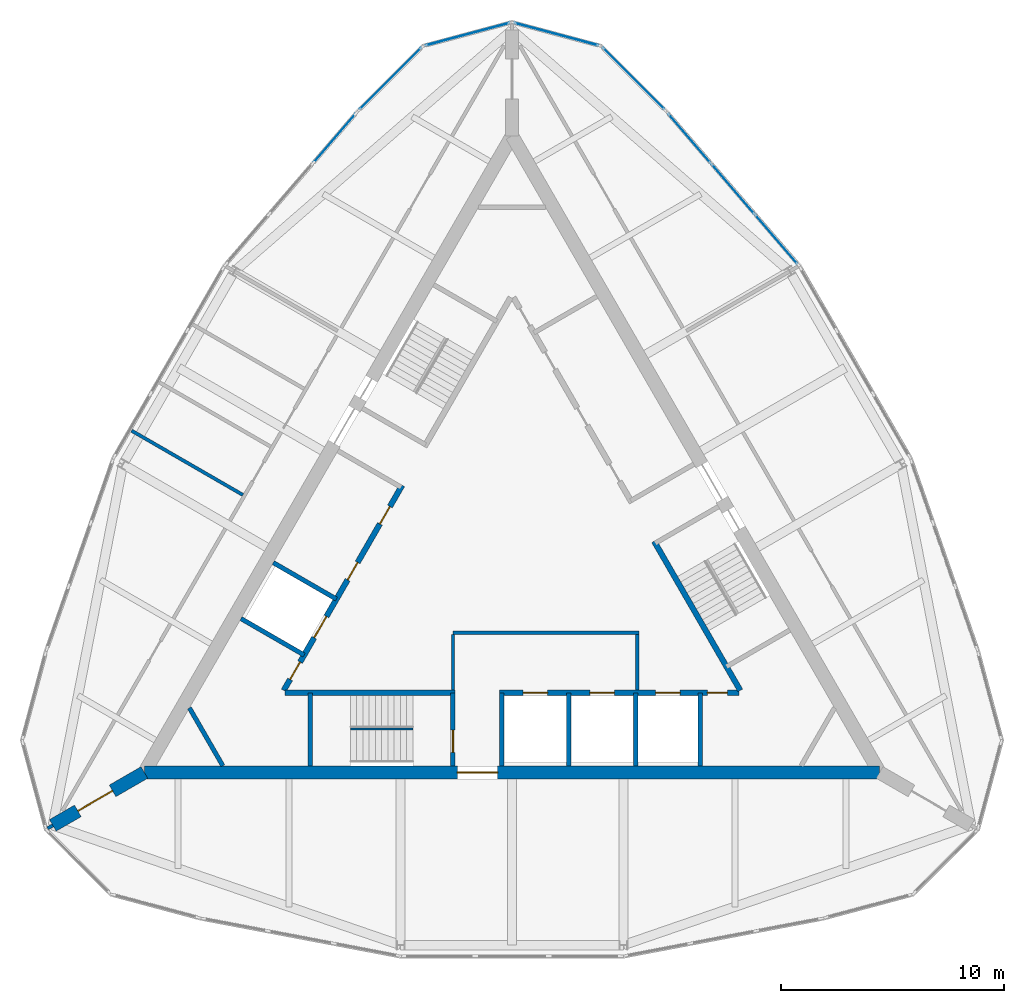
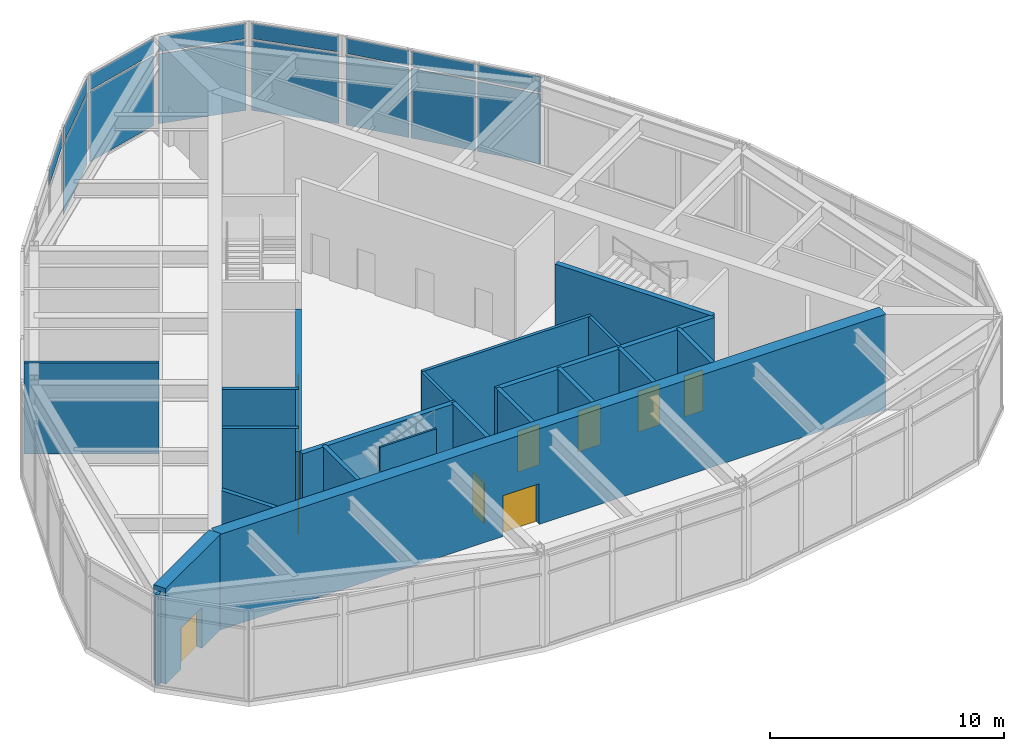
# One storey, part 6 of 9: 21 walls, 15 plates, 11 doors, 11 openings, 6 elements without a shape of their own.
"""IFC4 building model written with IfcOpenShell, lengths in metres."""

from ifc_helpers import new_model, si_unit, direction, frame, frame_2d, origin, origin_2d, place, context, subcontext, project, spatial, rectangle, extrude, material, layer, layer_set, type_object, element, fill, aggregate, save


model = new_model("IFC4")

# Units and contexts
model_context = context("Model", 3, precision=1e-05, world=origin(), true_north=direction((0.0, 1.0)))
body_context = subcontext(model_context, "Body", "Model", "MODEL_VIEW")
ifc_project = project(units=[si_unit("LENGTHUNIT", "METRE"), si_unit("AREAUNIT", "SQUARE_METRE"), si_unit("VOLUMEUNIT", "CUBIC_METRE"), si_unit("PLANEANGLEUNIT", "RADIAN"), si_unit("MASSUNIT", "GRAM", prefix="KILO")], contexts=[model_context])

# Site, building, storey
site_placement = place(None, origin())
site = spatial("IfcSite", under=ifc_project, at=site_placement, CompositionType="ELEMENT")
building_placement = place(site_placement, origin())
building = spatial("IfcBuilding", under=site, at=building_placement, Name="Trikona Tower", CompositionType="ELEMENT")
storey_placement = place(building_placement, frame((0.0, 0.0, 292.800048828125)))
storey = spatial("IfcBuildingStorey", under=building, at=storey_placement, Name="L76", CompositionType="ELEMENT", Elevation=292.800048828125)

# Curtain wall, plates
ifc_material_1 = material(Name="Aluminium curtain wall system", Category="aluminium")
curtain_wall_type = type_object("IfcCurtainWallType", Name="Curtain wall OB", PredefinedType="NOTDEFINED", material=ifc_material_1)
curtain_wall_1_placement = place(storey_placement, origin())
curtain_wall_1 = element("IfcCurtainWall", 1, at=curtain_wall_1_placement, inside=storey, type_object=curtain_wall_type, Name="Curtain wall OB L76", PredefinedType="NOTDEFINED")
ifc_material_2 = material(Name="Clear insulating glass unit", Category="glass")
ifc_layer_1 = layer(ifc_material_2, 0.028076171875)
ifc_layer_set_1 = layer_set([ifc_layer_1], Name="Glass panel OB")
plate_type = type_object("IfcPlateType", Name="Glass panel OB", PredefinedType="CURTAIN_PANEL", material=ifc_layer_set_1)
plate_1_placement = place(storey_placement, frame((11.865966796875, 14.408447265625, 0.10009765625), z_axis=(0.0, 0.0, 1.0), x_axis=(-0.652863914707, 0.757475219973, 0.0)))
plate_1 = element("IfcPlate", 2, at=plate_1_placement, type_object=plate_type, Name="CW-OB panel 1.1", PredefinedType="CURTAIN_PANEL", context=body_context, shape_type="SweptSolid", body=[
    extrude(rectangle(XDim=2.86376953125, YDim=0.028076171875, at=origin_2d()), origin(), (0.0, 0.0, 1.0), 3.64990234375),
])
plate_2_placement = place(storey_placement, frame((11.865966796875, 14.408447265625, 3.85009765625), z_axis=(0.0, 0.0, 1.0), x_axis=(-0.652863914707, 0.757475219973, 0.0)))
plate_2 = element("IfcPlate", 3, at=plate_2_placement, type_object=plate_type, Name="CW-OB panel 1.2", PredefinedType="CURTAIN_PANEL", context=body_context, shape_type="SweptSolid", body=[
    extrude(rectangle(XDim=2.86376953125, YDim=0.028076171875, at=origin_2d()), origin(), (0.0, 0.0, 1.0), 0.800048828125),
])
plate_3_placement = place(storey_placement, frame((9.914794921875, 16.67236328125, 0.10009765625), z_axis=(0.0, 0.0, 1.0), x_axis=(-0.652863914707, 0.757475219973, 0.0)))
plate_3 = element("IfcPlate", 4, at=plate_3_placement, type_object=plate_type, Name="CW-OB panel 2.1", PredefinedType="CURTAIN_PANEL", context=body_context, shape_type="SweptSolid", body=[
    extrude(rectangle(XDim=2.91357421875, YDim=0.028076171875, at=origin_2d()), origin(), (0.0, 0.0, 1.0), 3.64990234375),
])
plate_4_placement = place(storey_placement, frame((9.914794921875, 16.67236328125, 3.85009765625), z_axis=(0.0, 0.0, 1.0), x_axis=(-0.652863914707, 0.757475219973, 0.0)))
plate_4 = element("IfcPlate", 5, at=plate_4_placement, type_object=plate_type, Name="CW-OB panel 2.2", PredefinedType="CURTAIN_PANEL", context=body_context, shape_type="SweptSolid", body=[
    extrude(rectangle(XDim=2.91357421875, YDim=0.028076171875, at=origin_2d()), origin(), (0.0, 0.0, 1.0), 0.800048828125),
])
plate_5_placement = place(storey_placement, frame((7.96337890625, 18.936279296875, 0.10009765625), z_axis=(0.0, 0.0, 1.0), x_axis=(-0.652863914707, 0.757475219973, 0.0)))
plate_5 = element("IfcPlate", 6, at=plate_5_placement, type_object=plate_type, Name="CW-OB panel 3.1", PredefinedType="CURTAIN_PANEL", context=body_context, shape_type="SweptSolid", body=[
    extrude(rectangle(XDim=2.86376953125, YDim=0.028076171875, at=origin_2d()), origin(), (0.0, 0.0, 1.0), 3.64990234375),
])
plate_6_placement = place(storey_placement, frame((7.96337890625, 18.936279296875, 3.85009765625), z_axis=(0.0, 0.0, 1.0), x_axis=(-0.652863914707, 0.757475219973, 0.0)))
plate_6 = element("IfcPlate", 7, at=plate_6_placement, type_object=plate_type, Name="CW-OB panel 3.2", PredefinedType="CURTAIN_PANEL", context=body_context, shape_type="SweptSolid", body=[
    extrude(rectangle(XDim=2.86376953125, YDim=0.028076171875, at=origin_2d()), origin(), (0.0, 0.0, 1.0), 0.800048828125),
])
aggregate(curtain_wall_1, [plate_1, plate_2, plate_3, plate_4, plate_5, plate_6])

curtain_wall_2_placement = place(storey_placement, origin())
curtain_wall_2 = element("IfcCurtainWall", 8, at=curtain_wall_2_placement, inside=storey, type_object=curtain_wall_type, Name="Curtain wall OB L76", PredefinedType="NOTDEFINED")
plate_7_placement = place(storey_placement, frame((5.449951171875, 21.615966796875, 0.10009765625), z_axis=(0.0, 0.0, 1.0), x_axis=(-0.707106781187, 0.707106781187, 0.0)))
plate_7 = element("IfcPlate", 9, at=plate_7_placement, type_object=plate_type, Name="CW-OB panel 1.1", PredefinedType="CURTAIN_PANEL", context=body_context, shape_type="SweptSolid", body=[
    extrude(rectangle(XDim=3.864013671875, YDim=0.028076171875, at=origin_2d()), origin(), (0.0, 0.0, 1.0), 3.64990234375),
])
plate_8_placement = place(storey_placement, frame((5.449951171875, 21.615966796875, 3.85009765625), z_axis=(0.0, 0.0, 1.0), x_axis=(-0.707106781187, 0.707106781187, 0.0)))
plate_8 = element("IfcPlate", 10, at=plate_8_placement, type_object=plate_type, Name="CW-OB panel 1.2", PredefinedType="CURTAIN_PANEL", context=body_context, shape_type="SweptSolid", body=[
    extrude(rectangle(XDim=3.864013671875, YDim=0.028076171875, at=origin_2d()), origin(), (0.0, 0.0, 1.0), 0.800048828125),
])
aggregate(curtain_wall_2, [plate_7, plate_8])

curtain_wall_3_placement = place(storey_placement, origin())
curtain_wall_3 = element("IfcCurtainWall", 11, at=curtain_wall_3_placement, inside=storey, type_object=curtain_wall_type, Name="Curtain wall OB L76", PredefinedType="NOTDEFINED")
plate_9_placement = place(storey_placement, frame((1.994873046875, 23.610595703125, 0.10009765625), z_axis=(0.0, 0.0, 1.0), x_axis=(-0.965923448705, 0.258827918204, 0.0)))
plate_9 = element("IfcPlate", 12, at=plate_9_placement, type_object=plate_type, Name="CW-OB panel 1.1", PredefinedType="CURTAIN_PANEL", context=body_context, shape_type="SweptSolid", body=[
    extrude(rectangle(XDim=3.864013671875, YDim=0.028076171875, at=origin_2d()), origin(), (0.0, 0.0, 1.0), 3.64990234375),
])
plate_10_placement = place(storey_placement, frame((1.994873046875, 23.610595703125, 3.85009765625), z_axis=(0.0, 0.0, 1.0), x_axis=(-0.965923448705, 0.258827918204, 0.0)))
plate_10 = element("IfcPlate", 13, at=plate_10_placement, type_object=plate_type, Name="CW-OB panel 1.2", PredefinedType="CURTAIN_PANEL", context=body_context, shape_type="SweptSolid", body=[
    extrude(rectangle(XDim=3.864013671875, YDim=0.028076171875, at=origin_2d()), origin(), (0.0, 0.0, 1.0), 0.800048828125),
])
aggregate(curtain_wall_3, [plate_9, plate_10])

curtain_wall_4_placement = place(storey_placement, origin())
curtain_wall_4 = element("IfcCurtainWall", 14, at=curtain_wall_4_placement, inside=storey, type_object=curtain_wall_type, Name="Curtain wall OB L76", PredefinedType="NOTDEFINED")
plate_11_placement = place(storey_placement, frame((-1.994873046875, 23.610595703125, 0.10009765625), z_axis=(0.0, 0.0, 1.0), x_axis=(-0.965923448705, -0.258827918204, 0.0)))
plate_11 = element("IfcPlate", 15, at=plate_11_placement, type_object=plate_type, Name="CW-OB panel 1.1", PredefinedType="CURTAIN_PANEL", context=body_context, shape_type="SweptSolid", body=[
    extrude(rectangle(XDim=3.864013671875, YDim=0.028076171875, at=origin_2d()), origin(), (0.0, 0.0, 1.0), 3.64990234375),
])
plate_12_placement = place(storey_placement, frame((-1.994873046875, 23.610595703125, 3.85009765625), z_axis=(0.0, 0.0, 1.0), x_axis=(-0.965923448705, -0.258827918204, 0.0)))
plate_12 = element("IfcPlate", 16, at=plate_12_placement, type_object=plate_type, Name="CW-OB panel 1.2", PredefinedType="CURTAIN_PANEL", context=body_context, shape_type="SweptSolid", body=[
    extrude(rectangle(XDim=3.864013671875, YDim=0.028076171875, at=origin_2d()), origin(), (0.0, 0.0, 1.0), 0.800048828125),
])
aggregate(curtain_wall_4, [plate_11, plate_12])

curtain_wall_5_placement = place(storey_placement, origin())
curtain_wall_5 = element("IfcCurtainWall", 17, at=curtain_wall_5_placement, inside=storey, type_object=curtain_wall_type, Name="Curtain wall OB L76", PredefinedType="NOTDEFINED")
plate_13_placement = place(storey_placement, frame((-5.449951171875, 21.615966796875, 0.10009765625), z_axis=(0.0, 0.0, 1.0), x_axis=(-0.707106781187, -0.707106781187, 0.0)))
plate_13 = element("IfcPlate", 18, at=plate_13_placement, type_object=plate_type, Name="CW-OB panel 1.1", PredefinedType="CURTAIN_PANEL", context=body_context, shape_type="SweptSolid", body=[
    extrude(rectangle(XDim=3.864013671875, YDim=0.028076171875, at=origin_2d()), origin(), (0.0, 0.0, 1.0), 3.64990234375),
])
plate_14_placement = place(storey_placement, frame((-5.449951171875, 21.615966796875, 3.85009765625), z_axis=(0.0, 0.0, 1.0), x_axis=(-0.707106781187, -0.707106781187, 0.0)))
plate_14 = element("IfcPlate", 19, at=plate_14_placement, type_object=plate_type, Name="CW-OB panel 1.2", PredefinedType="CURTAIN_PANEL", context=body_context, shape_type="SweptSolid", body=[
    extrude(rectangle(XDim=3.864013671875, YDim=0.028076171875, at=origin_2d()), origin(), (0.0, 0.0, 1.0), 0.800048828125),
])
aggregate(curtain_wall_5, [plate_13, plate_14])

# Curtain wall, plate
curtain_wall_6_placement = place(storey_placement, origin())
curtain_wall_6 = element("IfcCurtainWall", 20, at=curtain_wall_6_placement, inside=storey, type_object=curtain_wall_type, Name="Curtain wall OB L76", PredefinedType="NOTDEFINED")
plate_15_placement = place(storey_placement, frame((-7.96337890625, 18.936279296875, 3.85009765625), z_axis=(0.0, 0.0, 1.0), x_axis=(-0.652863914707, -0.757475219973, 0.0)))
plate_15 = element("IfcPlate", 21, at=plate_15_placement, type_object=plate_type, Name="CW-OB panel 1.2", PredefinedType="CURTAIN_PANEL", context=body_context, shape_type="SweptSolid", body=[
    extrude(rectangle(XDim=2.86376953125, YDim=0.028076171875, at=origin_2d()), origin(), (0.0, 0.0, 1.0), 0.800048828125),
])
aggregate(curtain_wall_6, [plate_15])

# Wall, opening, door
ifc_material_3 = material(Name="Concrete f'c 10000 psi", Category="concrete")
ifc_layer_2 = layer(ifc_material_3, 0.60009765625)
ifc_layer_set_2 = layer_set([ifc_layer_2], Name="Buttress wall 600")
wall_type_1 = type_object("IfcWallType", Name="Buttress wall 600", PredefinedType="SHEAR", material=ifc_layer_set_2)
wall_1_placement = place(storey_placement, frame((-16.5, -9.5263671875, 0.0), z_axis=(0.0, 0.0, 1.0), x_axis=(-0.866031398331, -0.499989616998, 0.0)))
wall_1 = element("IfcWall", 22, at=wall_1_placement, inside=storey, type_object=wall_type_1, Name="Buttress wall 3", PredefinedType="SHEAR", context=body_context, shape_type="SweptSolid", body=[
    extrude(rectangle(XDim=4.74609375, YDim=0.60009765625, at=frame_2d((2.373046875, 0.0))), origin(), (0.0, 0.0, 1.0), 5.0),
])
opening_1_placement = place(wall_1_placement, frame((1.64990234375, 0.0, 0.0)))
opening_1 = element("IfcOpeningElement", 23, at=opening_1_placement, cuts=wall_1, Name="Opening D10", PredefinedType="OPENING", context=body_context, shape_type="SweptSolid", body=[
    extrude(rectangle(XDim=1.800048828125, YDim=2.1298828125, at=frame_2d((0.89990234375, 1.06494140625))), frame((0.0, 0.31005859375, 0.0), z_axis=(0.0, -1.0, 0.0), x_axis=(1.0, 0.0, 0.0)), (0.0, 0.0, 1.0), 0.6201171875),
])
ifc_material_4 = material(Name="Hollow metal door and frame", Category="steel")
door_type_1 = type_object("IfcDoorType", Name="Cross-corridor door pair 1800x2130", OperationType="DOUBLE_DOOR_DOUBLE_SWING", PredefinedType="DOOR", material=ifc_material_4)
door_1_placement = place(opening_1_placement, origin())
door_1 = element("IfcDoor", 24, at=door_1_placement, inside=storey, type_object=door_type_1, Name="Cross-corridor door 3", OperationType="DOUBLE_DOOR_DOUBLE_SWING", OverallHeight=2.1298828125, OverallWidth=1.800048828125, PredefinedType="DOOR", context=body_context, shape_type="SweptSolid", body=[
    extrude(rectangle(XDim=1.800048828125, YDim=2.1298828125, at=frame_2d((0.89990234375, 1.06494140625))), frame((0.0, 0.02490234375, 0.0), z_axis=(0.0, -1.0, 0.0), x_axis=(1.0, 0.0, 0.0)), (0.0, 0.0, 1.0), 0.050048828125),
])
fill(opening_1, door_1)

ifc_material_5 = material(Name="Concrete f'c 10000 psi", Category="concrete")
ifc_layer_3 = layer(ifc_material_5, 0.60009765625)
ifc_layer_set_3 = layer_set([ifc_layer_3], Name="Core wall 600")
wall_type_2 = type_object("IfcWallType", Name="Core wall 600", PredefinedType="SHEAR", material=ifc_layer_set_3)
wall_2_placement = place(storey_placement, frame((-16.5, -9.5263671875, 0.0), z_axis=(0.0, 0.0, 1.0), x_axis=(1.0, 0.0, 0.0)))
wall_2 = element("IfcWall", 25, at=wall_2_placement, inside=storey, type_object=wall_type_2, Name="Core wall A", PredefinedType="SHEAR", context=body_context, shape_type="SweptSolid", body=[
    extrude(rectangle(XDim=33.0, YDim=0.60009765625, at=frame_2d((16.5, 0.0))), origin(), (0.0, 0.0, 1.0), 5.0),
])
opening_2_placement = place(wall_2_placement, frame((14.050048828125, 0.0, 0.0)))
opening_2 = element("IfcOpeningElement", 26, at=opening_2_placement, cuts=wall_2, Name="Opening D6", PredefinedType="OPENING", context=body_context, shape_type="SweptSolid", body=[
    extrude(rectangle(XDim=1.800048828125, YDim=2.1298828125, at=frame_2d((0.89990234375, 1.06494140625))), frame((0.0, 0.31005859375, 0.0), z_axis=(0.0, -1.0, 0.0), x_axis=(1.0, 0.0, 0.0)), (0.0, 0.0, 1.0), 0.6201171875),
])
ifc_material_6 = material(Name="Hollow metal door and frame", Category="steel")
door_type_2 = type_object("IfcDoorType", Name="Lobby door pair 1800x2130", OperationType="DOUBLE_DOOR_SINGLE_SWING", PredefinedType="DOOR", material=ifc_material_6)
door_2_placement = place(opening_2_placement, origin())
door_2 = element("IfcDoor", 27, at=door_2_placement, inside=storey, type_object=door_type_2, Name="Fire service lift lobby door", OperationType="DOUBLE_DOOR_SINGLE_SWING", OverallHeight=2.1298828125, OverallWidth=1.800048828125, PredefinedType="DOOR", context=body_context, shape_type="SweptSolid", body=[
    extrude(rectangle(XDim=1.800048828125, YDim=2.1298828125, at=frame_2d((0.89990234375, 1.06494140625))), frame((0.0, 0.02490234375, 0.0), z_axis=(0.0, -1.0, 0.0), x_axis=(1.0, 0.0, 0.0)), (0.0, 0.0, 1.0), 0.050048828125),
])
fill(opening_2, door_2)

# Wall
ifc_material_7 = material(Name="Concrete f'c 8000 psi", Category="concrete")
ifc_layer_4 = layer(ifc_material_7, 0.25)
ifc_layer_set_4 = layer_set([ifc_layer_4], Name="Hub wall 250")
wall_type_3 = type_object("IfcWallType", Name="Hub wall 250", PredefinedType="SOLIDWALL", material=ifc_layer_set_4)
wall_3_placement = place(storey_placement, frame((-10.182861328125, -5.951416015625, 0.0), z_axis=(0.0, 0.0, 1.0), x_axis=(1.0, 0.0, 0.0)))
element("IfcWall", 28, at=wall_3_placement, inside=storey, type_object=wall_type_3, Name="Lift lobby wall A1", PredefinedType="SOLIDWALL", context=body_context, shape_type="SweptSolid", body=[
    extrude(rectangle(XDim=7.6328125, YDim=0.25, at=frame_2d((3.81640625, 0.0))), origin(), (0.0, 0.0, 1.0), 4.75),
])

# Wall, openings, doors
wall_4_placement = place(storey_placement, frame((-0.550048828125, -5.951416015625, 0.0), z_axis=(0.0, 0.0, 1.0), x_axis=(1.0, 0.0, 0.0)))
wall_4 = element("IfcWall", 29, at=wall_4_placement, inside=storey, type_object=wall_type_3, Name="Lift lobby wall A2", PredefinedType="SOLIDWALL", context=body_context, shape_type="SweptSolid", body=[
    extrude(rectangle(XDim=10.73291015625, YDim=0.25, at=frame_2d((5.366455078125, 0.0))), origin(), (0.0, 0.0, 1.0), 4.75),
])
opening_3_placement = place(wall_4_placement, frame((9.31396484375, 0.0, 0.0)))
opening_3 = element("IfcOpeningElement", 30, at=opening_3_placement, cuts=wall_4, Name="Opening D14", PredefinedType="OPENING", context=body_context, shape_type="SweptSolid", body=[
    extrude(rectangle(XDim=0.89990234375, YDim=2.1298828125, at=frame_2d((0.449951171875, 1.06494140625))), frame((0.0, 0.135009765625, 0.0), z_axis=(0.0, -1.0, 0.0), x_axis=(1.0, 0.0, 0.0)), (0.0, 0.0, 1.0), 0.27001953125),
])
opening_4_placement = place(wall_4_placement, frame((1.050048828125, 0.0, 0.0)))
opening_4 = element("IfcOpeningElement", 31, at=opening_4_placement, cuts=wall_4, Name="Opening LD", PredefinedType="OPENING", context=body_context, shape_type="SweptSolid", body=[
    extrude(rectangle(XDim=1.10009765625, YDim=2.1298828125, at=frame_2d((0.550048828125, 1.06494140625))), frame((0.0, 0.135009765625, 0.0), z_axis=(0.0, -1.0, 0.0), x_axis=(1.0, 0.0, 0.0)), (0.0, 0.0, 1.0), 0.27001953125),
])
opening_5_placement = place(wall_4_placement, frame((4.050048828125, 0.0, 0.0)))
opening_5 = element("IfcOpeningElement", 32, at=opening_5_placement, cuts=wall_4, Name="Opening LD", PredefinedType="OPENING", context=body_context, shape_type="SweptSolid", body=[
    extrude(rectangle(XDim=1.10009765625, YDim=2.1298828125, at=frame_2d((0.550048828125, 1.06494140625))), frame((0.0, 0.135009765625, 0.0), z_axis=(0.0, -1.0, 0.0), x_axis=(1.0, 0.0, 0.0)), (0.0, 0.0, 1.0), 0.27001953125),
])
opening_6_placement = place(wall_4_placement, frame((7.0, 0.0, 0.0)))
opening_6 = element("IfcOpeningElement", 33, at=opening_6_placement, cuts=wall_4, Name="Opening LD", PredefinedType="OPENING", context=body_context, shape_type="SweptSolid", body=[
    extrude(rectangle(XDim=1.10009765625, YDim=2.1298828125, at=frame_2d((0.550048828125, 1.06494140625))), frame((0.0, 0.135009765625, 0.0), z_axis=(0.0, -1.0, 0.0), x_axis=(1.0, 0.0, 0.0)), (0.0, 0.0, 1.0), 0.27001953125),
])
ifc_material_8 = material(Name="Stainless steel lift landing door", Category="steel")
door_type_3 = type_object("IfcDoorType", Name="Lift landing door 1100x2130", OperationType="DOUBLE_DOOR_SLIDING", PredefinedType="USERDEFINED", material=ifc_material_8)
door_3_placement = place(opening_4_placement, origin())
door_3 = element("IfcDoor", 34, at=door_3_placement, inside=storey, type_object=door_type_3, Name="Lift landing door FF1", ObjectType="LIFT LANDING DOOR", OperationType="DOUBLE_DOOR_SLIDING", OverallHeight=2.1298828125, OverallWidth=1.10009765625, PredefinedType="USERDEFINED", context=body_context, shape_type="SweptSolid", body=[
    extrude(rectangle(XDim=1.10009765625, YDim=2.1298828125, at=frame_2d((0.550048828125, 1.06494140625))), frame((0.0, 0.02490234375, 0.0), z_axis=(0.0, -1.0, 0.0), x_axis=(1.0, 0.0, 0.0)), (0.0, 0.0, 1.0), 0.050048828125),
])
fill(opening_4, door_3)
door_4_placement = place(opening_5_placement, origin())
door_4 = element("IfcDoor", 35, at=door_4_placement, inside=storey, type_object=door_type_3, Name="Lift landing door FF2", ObjectType="LIFT LANDING DOOR", OperationType="DOUBLE_DOOR_SLIDING", OverallHeight=2.1298828125, OverallWidth=1.10009765625, PredefinedType="USERDEFINED", context=body_context, shape_type="SweptSolid", body=[
    extrude(rectangle(XDim=1.10009765625, YDim=2.1298828125, at=frame_2d((0.550048828125, 1.06494140625))), frame((0.0, 0.02490234375, 0.0), z_axis=(0.0, -1.0, 0.0), x_axis=(1.0, 0.0, 0.0)), (0.0, 0.0, 1.0), 0.050048828125),
])
fill(opening_5, door_4)
door_5_placement = place(opening_6_placement, origin())
door_5 = element("IfcDoor", 36, at=door_5_placement, inside=storey, type_object=door_type_3, Name="Lift landing door OB1", ObjectType="LIFT LANDING DOOR", OperationType="DOUBLE_DOOR_SLIDING", OverallHeight=2.1298828125, OverallWidth=1.10009765625, PredefinedType="USERDEFINED", context=body_context, shape_type="SweptSolid", body=[
    extrude(rectangle(XDim=1.10009765625, YDim=2.1298828125, at=frame_2d((0.550048828125, 1.06494140625))), frame((0.0, 0.02490234375, 0.0), z_axis=(0.0, -1.0, 0.0), x_axis=(1.0, 0.0, 0.0)), (0.0, 0.0, 1.0), 0.050048828125),
])
fill(opening_6, door_5)
ifc_material_9 = material(Name="Hollow metal door and frame", Category="steel")
door_type_4 = type_object("IfcDoorType", Name="Service room door 900x2130", OperationType="SINGLE_SWING_LEFT", PredefinedType="DOOR", material=ifc_material_9)
door_6_placement = place(opening_3_placement, origin())
door_6 = element("IfcDoor", 37, at=door_6_placement, inside=storey, type_object=door_type_4, Name="Door Electrical room ELR", OperationType="SINGLE_SWING_RIGHT", OverallHeight=2.1298828125, OverallWidth=0.89990234375, PredefinedType="DOOR", context=body_context, shape_type="SweptSolid", body=[
    extrude(rectangle(XDim=0.89990234375, YDim=2.1298828125, at=frame_2d((0.449951171875, 1.06494140625))), frame((0.0, 0.02490234375, 0.0), z_axis=(0.0, -1.0, 0.0), x_axis=(1.0, 0.0, 0.0)), (0.0, 0.0, 1.0), 0.050048828125),
])
fill(opening_3, door_6)

# Wall
wall_5_placement = place(storey_placement, frame((10.245361328125, -5.843017578125, 0.0), z_axis=(0.0, 0.0, 1.0), x_axis=(-0.499993009313, 0.866029439822, 0.0)))
element("IfcWall", 38, at=wall_5_placement, inside=storey, type_object=wall_type_3, Name="Lift lobby wall B1", PredefinedType="SOLIDWALL", context=body_context, shape_type="SweptSolid", body=[
    extrude(rectangle(XDim=7.73291015625, YDim=0.25, at=frame_2d((3.866455078125, 0.0))), origin(), (0.0, 0.0, 1.0), 4.75),
])

# Wall, openings, doors
wall_6_placement = place(storey_placement, frame((-4.928955078125, 3.365478515625, 0.0), z_axis=(0.0, 0.0, 1.0), x_axis=(-0.499991433582, -0.866030349552, 0.0)))
wall_6 = element("IfcWall", 39, at=wall_6_placement, inside=storey, type_object=wall_type_3, Name="Lift lobby wall C2", PredefinedType="SOLIDWALL", context=body_context, shape_type="SweptSolid", body=[
    extrude(rectangle(XDim=10.633056640625, YDim=0.25, at=frame_2d((5.31640625, 0.0))), origin(), (0.0, 0.0, 1.0), 4.75),
])
opening_7_placement = place(wall_6_placement, frame((9.1640625, 0.0, 0.0)))
opening_7 = element("IfcOpeningElement", 40, at=opening_7_placement, cuts=wall_6, Name="Opening D14", PredefinedType="OPENING", context=body_context, shape_type="SweptSolid", body=[
    extrude(rectangle(XDim=0.89990234375, YDim=2.1298828125, at=frame_2d((0.449951171875, 1.06494140625))), frame((0.0, 0.135009765625, 0.0), z_axis=(0.0, -1.0, 0.0), x_axis=(1.0, 0.0, 0.0)), (0.0, 0.0, 1.0), 0.27001953125),
])
opening_8_placement = place(wall_6_placement, frame((1.10009765625, 0.0, 0.0)))
opening_8 = element("IfcOpeningElement", 41, at=opening_8_placement, cuts=wall_6, Name="Opening D14", PredefinedType="OPENING", context=body_context, shape_type="SweptSolid", body=[
    extrude(rectangle(XDim=0.89990234375, YDim=2.1298828125, at=frame_2d((0.449951171875, 1.06494140625))), frame((0.0, 0.135009765625, 0.0), z_axis=(0.0, -1.0, 0.0), x_axis=(1.0, 0.0, 0.0)), (0.0, 0.0, 1.0), 0.27001953125),
])
opening_9_placement = place(wall_6_placement, frame((4.0, 0.0, 0.0)))
opening_9 = element("IfcOpeningElement", 42, at=opening_9_placement, cuts=wall_6, Name="Opening D14", PredefinedType="OPENING", context=body_context, shape_type="SweptSolid", body=[
    extrude(rectangle(XDim=0.89990234375, YDim=2.1298828125, at=frame_2d((0.449951171875, 1.06494140625))), frame((0.0, 0.135009765625, 0.0), z_axis=(0.0, -1.0, 0.0), x_axis=(1.0, 0.0, 0.0)), (0.0, 0.0, 1.0), 0.27001953125),
])
opening_10_placement = place(wall_6_placement, frame((6.800048828125, 0.0, 0.0)))
opening_10 = element("IfcOpeningElement", 43, at=opening_10_placement, cuts=wall_6, Name="Opening LD", PredefinedType="OPENING", context=body_context, shape_type="SweptSolid", body=[
    extrude(rectangle(XDim=1.10009765625, YDim=2.1298828125, at=frame_2d((0.550048828125, 1.06494140625))), frame((0.0, 0.135009765625, 0.0), z_axis=(0.0, -1.0, 0.0), x_axis=(1.0, 0.0, 0.0)), (0.0, 0.0, 1.0), 0.27001953125),
])
door_7_placement = place(opening_10_placement, origin())
door_7 = element("IfcDoor", 44, at=door_7_placement, inside=storey, type_object=door_type_3, Name="Lift landing door OB2", ObjectType="LIFT LANDING DOOR", OperationType="DOUBLE_DOOR_SLIDING", OverallHeight=2.1298828125, OverallWidth=1.10009765625, PredefinedType="USERDEFINED", context=body_context, shape_type="SweptSolid", body=[
    extrude(rectangle(XDim=1.10009765625, YDim=2.1298828125, at=frame_2d((0.550048828125, 1.06494140625))), frame((0.0, 0.02490234375, 0.0), z_axis=(0.0, -1.0, 0.0), x_axis=(1.0, 0.0, 0.0)), (0.0, 0.0, 1.0), 0.050048828125),
])
fill(opening_10, door_7)
door_8_placement = place(opening_7_placement, origin())
door_8 = element("IfcDoor", 45, at=door_8_placement, inside=storey, type_object=door_type_4, Name="Door Cleaner's store CLN", OperationType="SINGLE_SWING_RIGHT", OverallHeight=2.1298828125, OverallWidth=0.89990234375, PredefinedType="DOOR", context=body_context, shape_type="SweptSolid", body=[
    extrude(rectangle(XDim=0.89990234375, YDim=2.1298828125, at=frame_2d((0.449951171875, 1.06494140625))), frame((0.0, 0.02490234375, 0.0), z_axis=(0.0, -1.0, 0.0), x_axis=(1.0, 0.0, 0.0)), (0.0, 0.0, 1.0), 0.050048828125),
])
fill(opening_7, door_8)
door_9_placement = place(opening_8_placement, origin())
door_9 = element("IfcDoor", 46, at=door_9_placement, inside=storey, type_object=door_type_4, Name="Door Storage STO4", OperationType="SINGLE_SWING_LEFT", OverallHeight=2.1298828125, OverallWidth=0.89990234375, PredefinedType="DOOR", context=body_context, shape_type="SweptSolid", body=[
    extrude(rectangle(XDim=0.89990234375, YDim=2.1298828125, at=frame_2d((0.449951171875, 1.06494140625))), frame((0.0, 0.02490234375, 0.0), z_axis=(0.0, -1.0, 0.0), x_axis=(1.0, 0.0, 0.0)), (0.0, 0.0, 1.0), 0.050048828125),
])
fill(opening_8, door_9)
door_10_placement = place(opening_9_placement, origin())
door_10 = element("IfcDoor", 47, at=door_10_placement, inside=storey, type_object=door_type_4, Name="Door Storage STO4", OperationType="SINGLE_SWING_RIGHT", OverallHeight=2.1298828125, OverallWidth=0.89990234375, PredefinedType="DOOR", context=body_context, shape_type="SweptSolid", body=[
    extrude(rectangle(XDim=0.89990234375, YDim=2.1298828125, at=frame_2d((0.449951171875, 1.06494140625))), frame((0.0, 0.02490234375, 0.0), z_axis=(0.0, -1.0, 0.0), x_axis=(1.0, 0.0, 0.0)), (0.0, 0.0, 1.0), 0.050048828125),
])
fill(opening_9, door_10)

# Walls
ifc_material_10 = material(Name="Metal stud and gypsum board, 2-hour shaft wall", Category="gypsum")
ifc_layer_5 = layer(ifc_material_10, 0.14990234375)
ifc_layer_set_5 = layer_set([ifc_layer_5], Name="Lobby wall 150")
wall_type_4 = type_object("IfcWallType", Name="Lobby wall 150", PredefinedType="PARTITIONING", material=ifc_layer_set_5)
wall_7_placement = place(storey_placement, frame((-2.64990234375, -3.251220703125, 0.0), z_axis=(0.0, 0.0, 1.0), x_axis=(1.0, 0.0, 0.0)))
element("IfcWall", 48, at=wall_7_placement, inside=storey, type_object=wall_type_4, Name="Fire service lift lobby wall 1", PredefinedType="PARTITIONING", context=body_context, shape_type="SweptSolid", body=[
    extrude(rectangle(XDim=8.349853515625, YDim=0.14990234375, at=frame_2d((4.1748046875, 0.0))), origin(), (0.0, 0.0, 1.0), 4.75),
])
for number, where, z_axis, x_axis, name in (
    (49, (-2.64990234375, -5.826416015625, 0.0), (0.0, 0.0, 1.0), (0.0, 1.0, 0.0), "Fire service lift lobby wall 2"),
    (50, (5.625, -5.826416015625, 0.0), (0.0, 0.0, 1.0), (0.0, 1.0, 0.0), "Fire service lift lobby wall 3"),
):
    element("IfcWall", number, at=place(storey_placement, frame(where, z_axis=z_axis, x_axis=x_axis)), inside=storey, type_object=wall_type_4, Name=name, PredefinedType="PARTITIONING", context=body_context, shape_type="SweptSolid", body=[
        extrude(rectangle(XDim=2.5, YDim=0.14990234375, at=frame_2d((1.25, 0.0))), origin(), (0.0, 0.0, 1.0), 4.75),
    ])
ifc_material_11 = material(Name="Metal stud and gypsum board, 1-hour acoustic", Category="gypsum")
ifc_layer_6 = layer(ifc_material_11, 0.14990234375)
ifc_layer_set_6 = layer_set([ifc_layer_6], Name="Party wall 150")
wall_type_5 = type_object("IfcWallType", Name="Party wall 150", PredefinedType="PARTITIONING", material=ifc_layer_set_6)
wall_8_placement = place(storey_placement, frame((-12.07861328125, 2.93212890625, 0.0), z_axis=(0.0, 0.0, 1.0), x_axis=(-0.866015751745, 0.50001671745, 0.0)))
element("IfcWall", 51, at=wall_8_placement, inside=storey, type_object=wall_type_5, Name="Partition L76 F3 u3.5", PredefinedType="PARTITIONING", context=body_context, shape_type="SweptSolid", body=[
    extrude(rectangle(XDim=5.769287109375, YDim=0.14990234375, at=frame_2d((2.884765625, 0.0))), origin(), (0.0, 0.0, 1.0), 4.75),
])
wall_9_placement = place(storey_placement, frame((-20.6103515625, -11.8994140625, 0.0), z_axis=(0.0, 0.0, 1.0), x_axis=(-0.866065156741, -0.499931139538, 0.0)))
element("IfcWall", 52, at=wall_9_placement, inside=storey, type_object=wall_type_5, Name="Partition L76 Buttress wall 3 closure", PredefinedType="PARTITIONING", context=body_context, shape_type="SweptSolid", body=[
    extrude(rectangle(XDim=0.27001953125, YDim=0.14990234375, at=frame_2d((0.135009765625, 0.0))), origin(), (0.0, 0.0, 1.0), 4.75),
])
ifc_material_12 = material(Name="Concrete f'c 8000 psi", Category="concrete")
ifc_layer_7 = layer(ifc_material_12, 0.199951171875)
ifc_layer_set_7 = layer_set([ifc_layer_7], Name="Shaft wall 200")
wall_type_6 = type_object("IfcWallType", Name="Shaft wall 200", PredefinedType="SOLIDWALL", material=ifc_layer_set_7)
for number, where, z_axis, x_axis, name in (
    (53, (-0.449951171875, -5.951416015625, 0.0), (0.0, 0.0, 1.0), (0.0, -1.0, 0.0), "Shaft wall A3"),
    (54, (2.550048828125, -5.951416015625, 0.0), (0.0, 0.0, 1.0), (0.0, -1.0, 0.0), "Shaft wall A4"),
    (55, (5.550048828125, -5.951416015625, 0.0), (0.0, 0.0, 1.0), (0.0, -1.0, 0.0), "Shaft wall A5"),
    (56, (8.449951171875, -5.951416015625, 0.0), (0.0, 0.0, 1.0), (0.0, -1.0, 0.0), "Shaft wall A6"),
    (57, (-7.87890625, -1.744140625, 0.0), (0.0, 0.0, 1.0), (-0.866027924134, 0.499995634601, 0.0), "Shaft wall C5"),
    (58, (-9.3291015625, -4.255615234375, 0.0), (0.0, 0.0, 1.0), (-0.866027924134, 0.499995634601, 0.0), "Shaft wall C6"),
):
    element("IfcWall", number, at=place(storey_placement, frame(where, z_axis=z_axis, x_axis=x_axis)), inside=storey, type_object=wall_type_6, Name=name, PredefinedType="SOLIDWALL", context=body_context, shape_type="SweptSolid", body=[
        extrude(rectangle(XDim=3.27490234375, YDim=0.199951171875, at=frame_2d((1.637451171875, 0.0))), origin(), (0.0, 0.0, 1.0), 4.75),
    ])
wall_10_placement = place(storey_placement, frame((-12.978271484375, -9.226318359375, 0.0), z_axis=(0.0, 0.0, 1.0), x_axis=(-0.499952404951, 0.866052881055, 0.0)))
element("IfcWall", 59, at=wall_10_placement, inside=storey, type_object=wall_type_6, Name="Riser wall L76-RS3", PredefinedType="SOLIDWALL", context=body_context, shape_type="SweptSolid", body=[
    extrude(rectangle(XDim=3.002197265625, YDim=0.199951171875, at=frame_2d((1.5009765625, 0.0))), origin(), (0.0, 0.0, 1.0), 4.75),
])
ifc_material_13 = material(Name="Concrete f'c 8000 psi", Category="concrete")
ifc_layer_8 = layer(ifc_material_13, 0.199951171875)
ifc_layer_set_8 = layer_set([ifc_layer_8], Name="Shaft wall 200 load-bearing")
wall_type_7 = type_object("IfcWallType", Name="Shaft wall 200 load-bearing", PredefinedType="SOLIDWALL", material=ifc_layer_set_8)
wall_11_placement = place(storey_placement, frame((-9.050048828125, -5.951416015625, 0.0), z_axis=(0.0, 0.0, 1.0), x_axis=(0.0, -1.0, 0.0)))
element("IfcWall", 60, at=wall_11_placement, inside=storey, type_object=wall_type_7, Name="Shaft wall A1", PredefinedType="SOLIDWALL", context=body_context, shape_type="SweptSolid", body=[
    extrude(rectangle(XDim=3.27490234375, YDim=0.199951171875, at=frame_2d((1.637451171875, 0.0))), origin(), (0.0, 0.0, 1.0), 4.75),
])

# Wall, opening, door
wall_12_placement = place(storey_placement, frame((-2.64990234375, -5.951416015625, 0.0), z_axis=(0.0, 0.0, 1.0), x_axis=(0.0, -1.0, 0.0)))
wall_12 = element("IfcWall", 61, at=wall_12_placement, inside=storey, type_object=wall_type_7, Name="Shaft wall A2", PredefinedType="SOLIDWALL", context=body_context, shape_type="SweptSolid", body=[
    extrude(rectangle(XDim=3.27490234375, YDim=0.199951171875, at=frame_2d((1.637451171875, 0.0))), origin(), (0.0, 0.0, 1.0), 4.75),
])
opening_11_placement = place(wall_12_placement, frame((1.675048828125, 0.0, 0.0)))
opening_11 = element("IfcOpeningElement", 62, at=opening_11_placement, cuts=wall_12, Name="Opening D5", PredefinedType="OPENING", context=body_context, shape_type="SweptSolid", body=[
    extrude(rectangle(XDim=1.0, YDim=2.1298828125, at=frame_2d((0.5, 1.06494140625))), frame((0.0, 0.10986328125, 0.0), z_axis=(0.0, -1.0, 0.0), x_axis=(1.0, 0.0, 0.0)), (0.0, 0.0, 1.0), 0.219970703125),
])
ifc_material_14 = material(Name="Hollow metal door and frame", Category="steel")
door_type_5 = type_object("IfcDoorType", Name="Stair door 1000x2130", OperationType="SINGLE_SWING_LEFT", PredefinedType="DOOR", material=ifc_material_14)
door_11_placement = place(opening_11_placement, origin())
door_11 = element("IfcDoor", 63, at=door_11_placement, inside=storey, type_object=door_type_5, Name="Stair A door", OperationType="SINGLE_SWING_RIGHT", OverallHeight=2.1298828125, OverallWidth=1.0, PredefinedType="DOOR", context=body_context, shape_type="SweptSolid", body=[
    extrude(rectangle(XDim=1.0, YDim=2.1298828125, at=frame_2d((0.5, 1.06494140625))), frame((0.0, 0.02490234375, 0.0), z_axis=(0.0, -1.0, 0.0), x_axis=(1.0, 0.0, 0.0)), (0.0, 0.0, 1.0), 0.050048828125),
])
fill(opening_11, door_11)

# Wall
ifc_material_15 = material(Name="Concrete f'c 5000 psi", Category="concrete")
ifc_layer_9 = layer(ifc_material_15, 0.10009765625)
ifc_layer_set_9 = layer_set([ifc_layer_9], Name="Stair spine wall 100")
wall_type_8 = type_object("IfcWallType", Name="Stair spine wall 100", PredefinedType="SOLIDWALL", material=ifc_layer_set_9)
wall_13_placement = place(storey_placement, frame((-7.2470703125, -7.576416015625, 0.0), z_axis=(0.0, 0.0, 1.0), x_axis=(1.0, 0.0, 0.0)))
element("IfcWall", 64, at=wall_13_placement, inside=storey, type_object=wall_type_8, Name="Stair A spine wall L76", PredefinedType="SOLIDWALL", context=body_context, shape_type="SweptSolid", body=[
    extrude(rectangle(XDim=2.794189453125, YDim=0.10009765625, at=frame_2d((1.39697265625, 0.0))), origin(), (0.0, 0.0, 1.0), 5.0),
])

save(model, "model.ifc")
